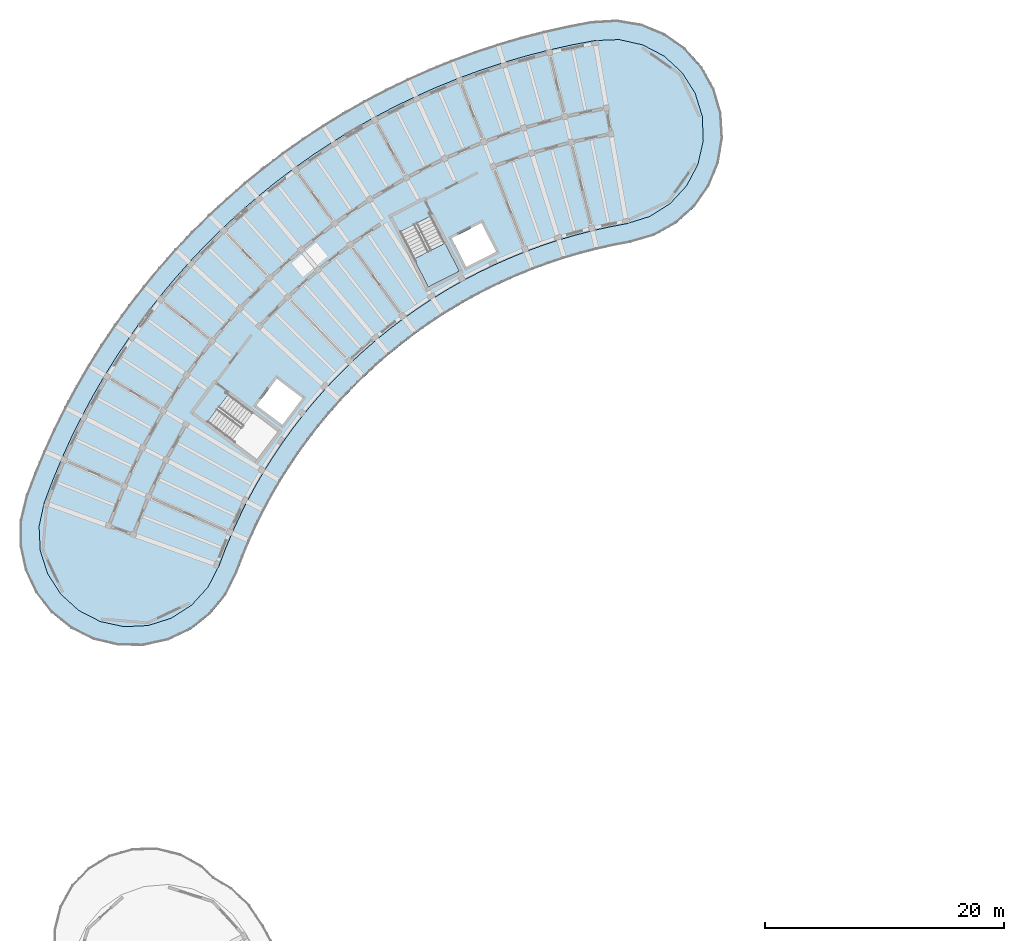
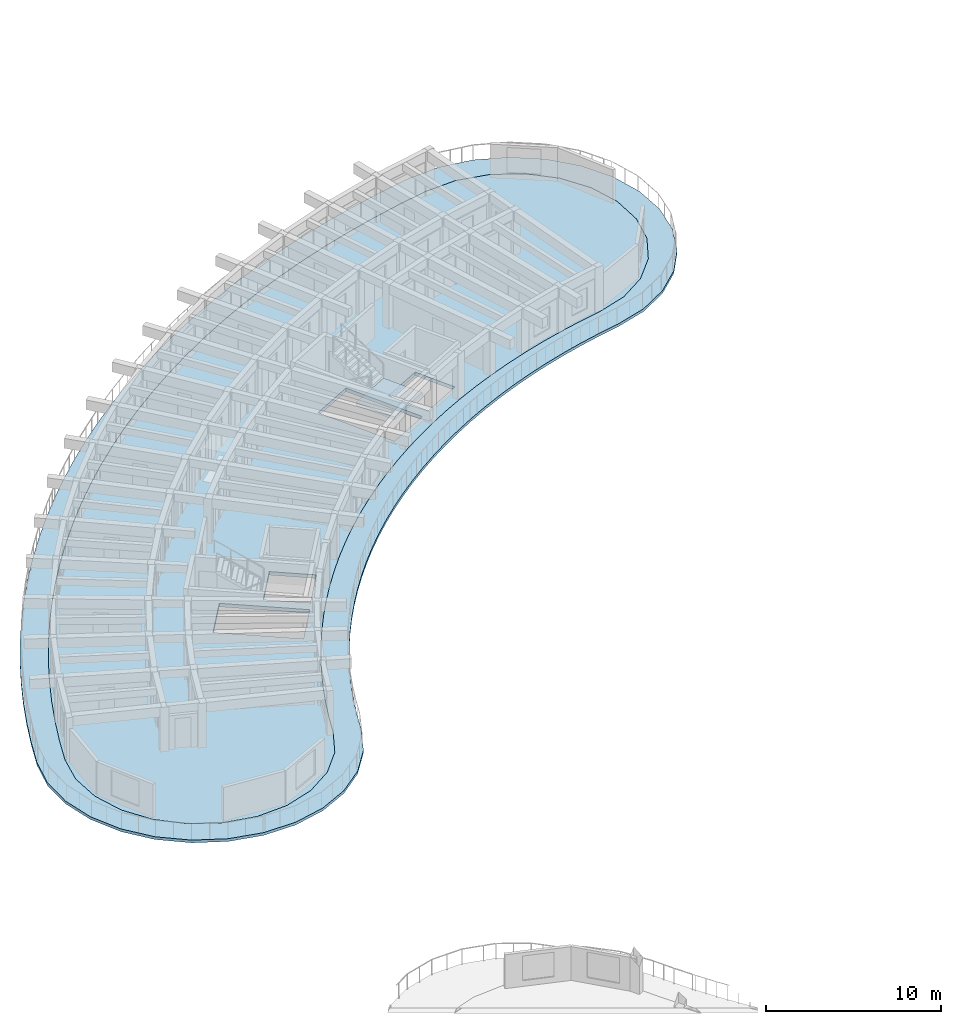
# One storey, part 13 of 41: 3 slabs, 1 element without a shape of its own.
"""IFC4 building model written with IfcOpenShell, lengths in metres."""

from ifc_helpers import new_model, si_unit, direction, frame, origin, place, context, subcontext, project, spatial, polyline, outline, extrude, material, layer, layer_set, type_object, element, aggregate, save


model = new_model("IFC4")

# Units and contexts
model_context = context("Model", 3, precision=1e-05, world=origin(), true_north=direction((0.0, 1.0)))
body_context = subcontext(model_context, "Body", "Model", "MODEL_VIEW")
ifc_project = project(units=[si_unit("LENGTHUNIT", "METRE"), si_unit("AREAUNIT", "SQUARE_METRE"), si_unit("VOLUMEUNIT", "CUBIC_METRE"), si_unit("PLANEANGLEUNIT", "RADIAN"), si_unit("MASSUNIT", "GRAM", prefix="KILO")], contexts=[model_context])

# Site, building, storey
site_placement = place(None, origin())
site = spatial("IfcSite", under=ifc_project, at=site_placement, CompositionType="ELEMENT")
building_placement = place(site_placement, origin())
building = spatial("IfcBuilding", under=site, at=building_placement, Name="Tanwirah Colonnade Gardens", CompositionType="ELEMENT")
storey_placement = place(building_placement, frame((0.0, 0.0, 35.719970703125)))
storey = spatial("IfcBuildingStorey", under=building, at=storey_placement, Name="L10", CompositionType="ELEMENT", Elevation=35.719970703125)

# Slab
ifc_material_1 = material(Name="White architectural precast concrete C40/50", Category="concrete")
ifc_layer_1 = layer(ifc_material_1, 0.18994140625)
ifc_layer_set_1 = layer_set([ifc_layer_1], Name="White architectural precast concrete C40/50")
slab_type_1 = type_object("IfcSlabType", Name="SL-BAL-190", PredefinedType="FLOOR", material=ifc_layer_set_1)
slab_1_placement = place(storey_placement, frame((0.0, 0.0, -0.18994140625)))
element("IfcSlab", 1, at=slab_1_placement, inside=storey, type_object=slab_type_1, Name="Block A L10 Continuous White Balcony Ribbon", PredefinedType="FLOOR", context=body_context, shape_type="SweptSolid", body=[
    extrude(outline(polyline([(59.78662109375, 102.7685546875), (61.62646484375, 103.791259765625), (63.192626953125, 105.197509765625), (64.40673828125, 106.9169921875), (65.207763671875, 108.86376953125), (65.555419921875, 110.939697265625), (65.432373046875, 113.041015625), (64.844970703125, 115.062255859375), (63.822509765625, 116.902099609375), (62.416015625, 118.468505859375), (60.696533203125, 119.682373046875), (58.75, 120.4833984375), (56.673828125, 120.8310546875), (54.572509765625, 120.7080078125), (52.583740234375, 120.33154296875), (50.608642578125, 119.8896484375), (48.64892578125, 119.3828125), (46.70703125, 118.811767578125), (44.78515625, 118.1767578125), (42.885009765625, 117.47900390625), (41.009033203125, 116.718994140625), (39.1591796875, 115.8974609375), (37.33740234375, 115.015380859375), (35.545654296875, 114.073974609375), (33.785888671875, 113.07373046875), (32.06005859375, 112.01611328125), (30.3701171875, 110.90234375), (28.717529296875, 109.7333984375), (27.104736328125, 108.510498046875), (25.532958984375, 107.235107421875), (24.00390625, 105.90869140625), (22.51953125, 104.532470703125), (21.08154296875, 103.108154296875), (19.69091796875, 101.63720703125), (18.349853515625, 100.121337890625), (17.059326171875, 98.56201171875), (15.82080078125, 96.9609375), (14.6357421875, 95.320068359375), (13.505615234375, 93.640869140625), (12.431396484375, 91.92529296875), (11.414306640625, 90.17529296875), (10.455322265625, 88.392822265625), (9.5556640625, 86.57958984375), (8.71630859375, 84.73779296875), (7.93798828125, 82.869140625), (7.221923828125, 80.97607421875), (6.73583984375, 78.927978515625), (6.7177734375, 76.8232421875), (7.16845703125, 74.76708984375), (8.0654296875, 72.86279296875), (9.36376953125, 71.205810546875), (10.998046875, 69.87939453125), (12.88671875, 68.949951171875), (14.934814453125, 68.4638671875), (17.03955078125, 68.44580078125), (19.095703125, 68.896484375), (21.0, 69.79345703125), (22.65673828125, 71.091796875), (23.9833984375, 72.72607421875), (24.912841796875, 74.61474609375), (25.409912109375, 75.92822265625), (25.94970703125, 77.224609375), (26.531982421875, 78.50244140625), (27.15625, 79.760498046875), (27.821533203125, 80.997314453125), (28.52734375, 82.21142578125), (29.272705078125, 83.401611328125), (30.056884765625, 84.566650390625), (30.87890625, 85.705078125), (31.73828125, 86.81591796875), (32.633544921875, 87.89794921875), (33.564208984375, 88.94970703125), (34.52880859375, 89.97021484375), (35.526611328125, 90.95849609375), (36.556396484375, 91.9130859375), (37.6171875, 92.83349609375), (38.707763671875, 93.71826171875), (39.826904296875, 94.566650390625), (40.973388671875, 95.3779296875), (42.14599609375, 96.150634765625), (43.34326171875, 96.884521484375), (44.564208984375, 97.578369140625), (45.807373046875, 98.231689453125), (47.0712890625, 98.843505859375), (48.354736328125, 99.41357421875), (49.656494140625, 99.94091796875), (50.974609375, 100.425048828125), (52.30810546875, 100.865478515625), (53.655517578125, 101.26171875), (55.01513671875, 101.61328125), (56.385498046875, 101.919921875), (57.765380859375, 102.18115234375), (59.78662109375, 102.7685546875)]), holes=[polyline([(59.429443359375, 104.381103515625), (57.48876953125, 103.77734375), (56.058349609375, 103.506591796875), (56.0576171875, 103.50634765625), (54.6357421875, 103.188232421875), (54.635009765625, 103.18798828125), (53.224365234375, 102.8232421875), (53.2236328125, 102.822998046875), (51.825927734375, 102.411865234375), (51.8251953125, 102.411865234375), (50.441650390625, 101.954833984375), (50.44091796875, 101.95458984375), (49.0732421875, 101.4521484375), (49.07275390625, 101.451904296875), (47.72216796875, 100.90478515625), (47.7216796875, 100.904541015625), (46.389892578125, 100.313232421875), (46.38916015625, 100.31298828125), (45.077880859375, 99.677978515625), (45.0771484375, 99.677734375), (43.787353515625, 99.0), (43.786865234375, 98.99951171875), (42.52001953125, 98.279541015625), (42.51953125, 98.279296875), (41.277099609375, 97.51806640625), (41.276611328125, 97.517578125), (40.059814453125, 96.7158203125), (40.059326171875, 96.71533203125), (38.869873046875, 95.873779296875), (38.869384765625, 95.87353515625), (37.708251953125, 94.9931640625), (37.707763671875, 94.99267578125), (36.576171875, 94.07470703125), (36.57568359375, 94.07421875), (35.47509765625, 93.119384765625), (35.474609375, 93.118896484375), (34.406005859375, 92.12841796875), (34.405517578125, 92.1279296875), (33.370361328125, 91.1025390625), (33.369873046875, 91.10205078125), (32.368896484375, 90.043212890625), (32.368408203125, 90.042724609375), (31.40283203125, 88.951416015625), (31.402587890625, 88.950927734375), (30.473388671875, 87.828369140625), (30.47314453125, 87.827880859375), (29.58154296875, 86.67529296875), (29.581298828125, 86.6748046875), (28.728271484375, 85.493408203125), (28.727783203125, 85.492919921875), (27.9140625, 84.2841796875), (27.913818359375, 84.28369140625), (27.140380859375, 83.048828125), (27.14013671875, 83.048095703125), (26.407958984375, 81.788330078125), (26.40771484375, 81.787841796875), (25.71728515625, 80.504638671875), (25.717041015625, 80.504150390625), (25.0693359375, 79.19873046875), (25.069091796875, 79.1982421875), (24.46484375, 77.872314453125), (24.464599609375, 77.87158203125), (23.904296875, 76.526611328125), (23.904052734375, 76.52587890625), (23.388916015625, 75.164306640625), (22.45751953125, 73.35791015625), (21.09130859375, 71.855224609375), (19.382568359375, 70.75732421875), (17.447998046875, 70.13916015625), (15.41943359375, 70.04248046875), (13.434814453125, 70.474365234375), (11.6298828125, 71.4052734375), (10.127197265625, 72.771484375), (9.029296875, 74.480224609375), (8.4111328125, 76.414794921875), (8.314697265625, 78.443359375), (8.746826171875, 80.428955078125), (9.443603515625, 82.271240234375), (10.201171875, 84.09033203125), (11.0185546875, 85.883544921875), (11.89453125, 87.64892578125), (12.828125, 89.384521484375), (13.818359375, 91.08837890625), (14.8642578125, 92.758544921875), (15.964599609375, 94.393310546875), (17.118408203125, 95.990966796875), (18.32421875, 97.5498046875), (19.58056640625, 99.068115234375), (20.886474609375, 100.5439453125), (22.240234375, 101.97607421875), (23.640380859375, 103.36279296875), (25.085693359375, 104.70263671875), (26.57421875, 105.994140625), (28.1044921875, 107.23583984375), (29.6748046875, 108.42626953125), (31.28369140625, 109.564453125), (32.92919921875, 110.649169921875), (34.609375, 111.6787109375), (36.32275390625, 112.652587890625), (38.067138671875, 113.5693359375), (39.841064453125, 114.427978515625), (41.64208984375, 115.227783203125), (43.468505859375, 115.9677734375), (45.318359375, 116.647216796875), (47.189697265625, 117.26513671875), (49.080322265625, 117.8212890625), (50.98828125, 118.314697265625), (52.911376953125, 118.744873046875), (54.8466796875, 119.111328125), (56.877197265625, 119.192138671875), (58.858154296875, 118.744873046875), (60.656005859375, 117.800048828125), (62.14794921875, 116.42236328125), (63.232666015625, 114.705078125), (63.835693359375, 112.765869140625), (63.91650390625, 110.736572265625), (63.46923828125, 108.75537109375), (62.5244140625, 106.95751953125), (61.146484375, 105.465576171875), (59.429443359375, 104.381103515625)])]), origin(), (0.0, 0.0, 1.0), 0.18994140625),
])

# Stair, slab
ifc_material_2 = material(Name="Precast concrete C40/50", Category="concrete")
stair_type = type_object("IfcStairType", Name="ST-RES168", PredefinedType="HALF_TURN_STAIR", material=ifc_material_2)
stair_placement = place(storey_placement, origin())
stair = element("IfcStair", 2, at=stair_placement, inside=storey, type_object=stair_type, Name="L10 Block A Core 1 Exit Stair", PredefinedType="HALF_TURN_STAIR")
ifc_layer_2 = layer(ifc_material_2, 0.205078125)
ifc_layer_set_2 = layer_set([ifc_layer_2], Name="Precast concrete C40/50")
slab_type_2 = type_object("IfcSlabType", Name="SL-LND-205", PredefinedType="LANDING", material=ifc_layer_set_2)
slab_2_placement = place(storey_placement, frame((0.0, 0.0, 1.47509765625)))
slab_2 = element("IfcSlab", 3, at=slab_2_placement, type_object=slab_type_2, Name="ST-A1 landing 1", PredefinedType="LANDING", context=body_context, shape_type="SweptSolid", body=[
    extrude(outline(polyline([(39.6982421875, 100.826171875), (40.89453125, 98.478515625), (43.496337890625, 99.80419921875), (42.300048828125, 102.15185546875), (39.6982421875, 100.826171875)])), origin(), (0.0, 0.0, 1.0), 0.204833984375),
])
aggregate(stair, [slab_2])

# Slab
ifc_layer_3 = layer(ifc_material_2, 0.2451171875)
ifc_layer_set_3 = layer_set([ifc_layer_3], Name="Precast concrete C40/50")
slab_type_3 = type_object("IfcSlabType", Name="SL-RES-245", PredefinedType="FLOOR", material=ifc_layer_set_3)
slab_3_placement = place(storey_placement, frame((0.0, 0.0, -0.244873046875)))
element("IfcSlab", 4, at=slab_3_placement, inside=storey, type_object=slab_type_3, Name="Block A L10 Precast Composite Floor Slab", PredefinedType="FLOOR", context=body_context, shape_type="SweptSolid", body=[
    extrude(outline(polyline([(54.64013671875, 103.168701171875), (56.06201171875, 103.48681640625), (57.49365234375, 103.758056640625), (59.43798828125, 104.36279296875), (61.159423828125, 105.4501953125), (62.541015625, 106.946044921875), (63.48828125, 108.74853515625), (63.9365234375, 110.734619140625), (63.855712890625, 112.769287109375), (63.2509765625, 114.713623046875), (62.16357421875, 116.43505859375), (60.667724609375, 117.816650390625), (58.865234375, 118.763916015625), (56.87890625, 119.212158203125), (54.84423828125, 119.13134765625), (52.907470703125, 118.7646484375), (50.983642578125, 118.334228515625), (49.074951171875, 117.840576171875), (47.183837890625, 117.284423828125), (45.311767578125, 116.666015625), (43.46142578125, 115.986328125), (41.63427734375, 115.24609375), (39.83251953125, 114.446044921875), (38.05810546875, 113.587158203125), (36.313232421875, 112.669921875), (34.599365234375, 111.696044921875), (32.91845703125, 110.666015625), (31.2724609375, 109.5810546875), (29.6630859375, 108.442626953125), (28.092041015625, 107.25146484375), (26.561279296875, 106.009521484375), (25.072265625, 104.717529296875), (23.62646484375, 103.377197265625), (22.225830078125, 101.990234375), (20.87158203125, 100.5576171875), (19.5654296875, 99.0810546875), (18.30859375, 97.562255859375), (17.102294921875, 96.0029296875), (15.9482421875, 94.40478515625), (14.847412109375, 92.76953125), (13.80126953125, 91.0986328125), (12.810546875, 89.394287109375), (11.876708984375, 87.658203125), (11.00048828125, 85.892333984375), (10.182861328125, 84.098388671875), (9.425048828125, 82.278564453125), (8.7275390625, 80.434814453125), (8.29443359375, 78.445068359375), (8.39111328125, 76.4111328125), (9.010986328125, 74.4716796875), (10.11181640625, 72.758544921875), (11.618408203125, 71.388671875), (13.427978515625, 70.45556640625), (15.417724609375, 70.0224609375), (17.45166015625, 70.119140625), (19.39111328125, 70.739013671875), (21.104248046875, 71.83984375), (22.47412109375, 73.346435546875), (23.4072265625, 75.156005859375), (23.9228515625, 76.518798828125), (24.483154296875, 77.864013671875), (25.08740234375, 79.18994140625), (25.73486328125, 80.4951171875), (26.42529296875, 81.7783203125), (27.157470703125, 83.0380859375), (27.9306640625, 84.27294921875), (28.744384765625, 85.48193359375), (29.597412109375, 86.6630859375), (30.489013671875, 87.815673828125), (31.41796875, 88.938232421875), (32.38330078125, 90.029541015625), (33.38427734375, 91.08837890625), (34.419677734375, 92.11376953125), (35.48828125, 93.104248046875), (36.5888671875, 94.05908203125), (37.72021484375, 94.977294921875), (38.88134765625, 95.857421875), (40.07080078125, 96.698974609375), (41.28759765625, 97.5009765625), (42.52978515625, 98.26220703125), (43.796630859375, 98.982177734375), (45.08642578125, 99.659912109375), (46.39794921875, 100.294921875), (47.729736328125, 100.88623046875), (49.080078125, 101.433349609375), (50.447998046875, 101.935791015625), (51.83154296875, 102.392822265625), (53.229248046875, 102.803955078125), (54.64013671875, 103.168701171875)]), holes=[polyline([(41.13427734375, 104.433349609375), (43.49365234375, 99.802734375), (40.897216796875, 98.479736328125), (38.537841796875, 103.1103515625), (41.13427734375, 104.433349609375)]), polyline([(46.574462890625, 101.428466796875), (44.07958984375, 100.157470703125), (42.853759765625, 102.563232421875), (45.3486328125, 103.834228515625), (46.574462890625, 101.428466796875)]), polyline([(26.555908203125, 84.039794921875), (22.4052734375, 87.16748046875), (24.158935546875, 89.49462890625), (28.3095703125, 86.366943359375), (26.555908203125, 84.039794921875)]), polyline([(26.5244140625, 88.5673828125), (28.20947265625, 90.8037109375), (30.36572265625, 89.1787109375), (28.6806640625, 86.942626953125), (26.5244140625, 88.5673828125)])]), origin(), (0.0, 0.0, 1.0), 0.244873046875),
])

save(model, "model.ifc")
